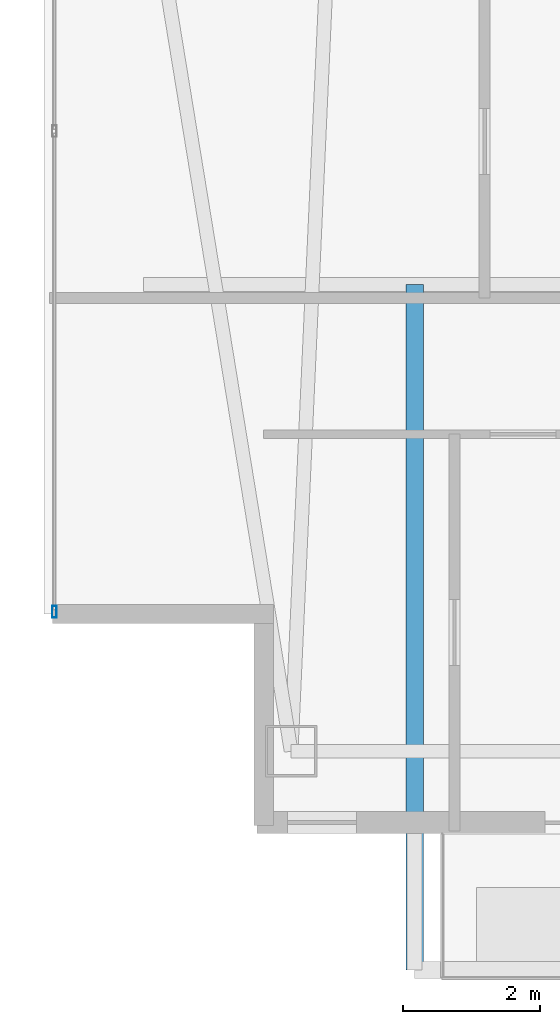
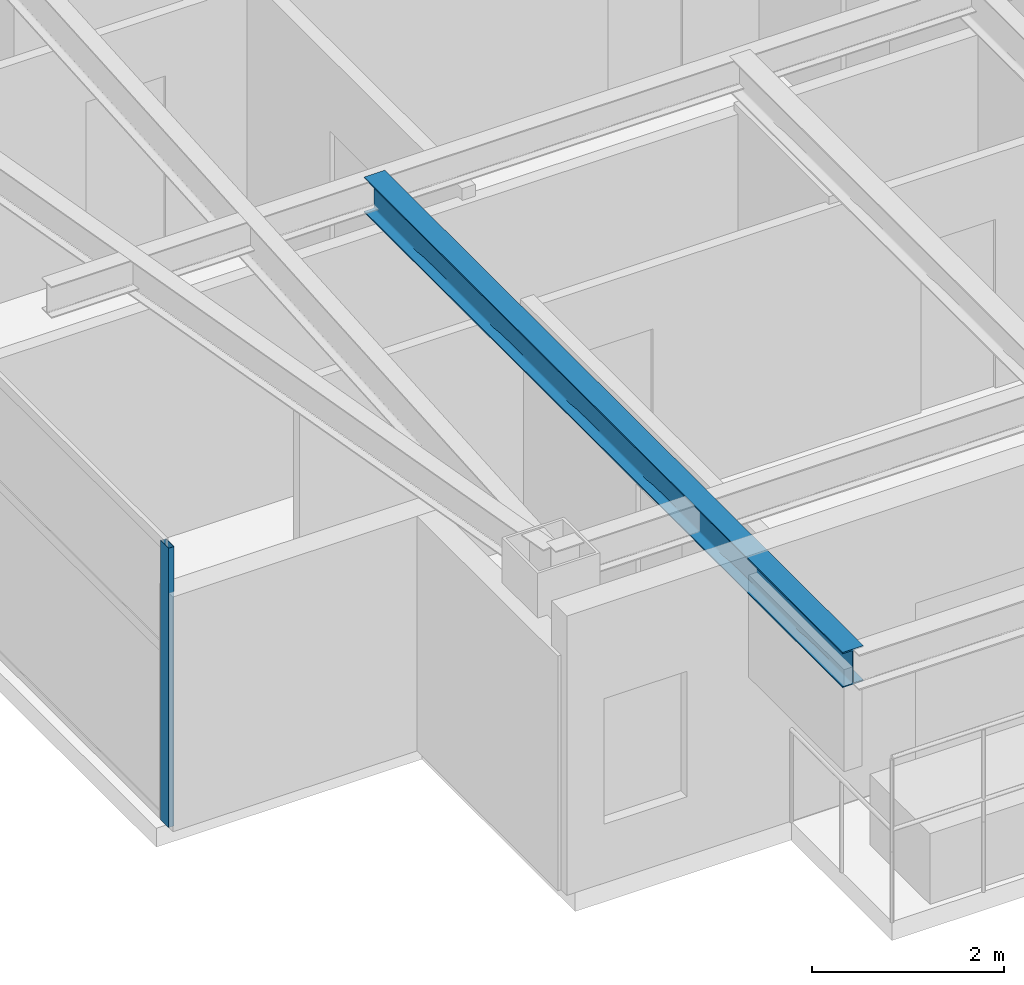
# One storey, part 2 of 29: 1 beam, 1 member, 1 element without a shape of its own.
"""IFC4 building model written with IfcOpenShell, lengths in metres."""

from ifc_helpers import new_model, si_unit, direction, frame, origin, origin_2d, place, context, subcontext, project, spatial, hollow_rectangle, i_section, extrude, material, layer, layer_set, material_profile, profile_set, type_object, element, aggregate, save


model = new_model("IFC4")

# Units and contexts
model_context = context("Model", 3, precision=1e-05, world=origin(), true_north=direction((0.0, 1.0)))
body_context = subcontext(model_context, "Body", "Model", "MODEL_VIEW")
ifc_project = project(units=[si_unit("LENGTHUNIT", "METRE"), si_unit("AREAUNIT", "SQUARE_METRE"), si_unit("VOLUMEUNIT", "CUBIC_METRE"), si_unit("PLANEANGLEUNIT", "RADIAN"), si_unit("MASSUNIT", "GRAM", prefix="KILO")], contexts=[model_context])

# Site, building, storey
site_placement = place(None, origin())
site = spatial("IfcSite", under=ifc_project, at=site_placement, CompositionType="ELEMENT")
building_placement = place(site_placement, origin())
building = spatial("IfcBuilding", under=site, at=building_placement, Name="Calvorn Quay Hotel", CompositionType="ELEMENT")
storey_placement = place(building_placement, frame((0.0, 0.0, 251.39990234375)))
storey = spatial("IfcBuildingStorey", under=building, at=storey_placement, Name="L62", CompositionType="ELEMENT", Elevation=251.39990234375)

# Beam
ifc_material_1 = material(Name="Steel Q355B", Category="steel")
ifc_material_profile_1 = material_profile(ifc_material_1, i_section(OverallWidth=0.25, OverallDepth=0.449951171875, WebThickness=0.011962890625, FlangeThickness=0.01611328125, FilletRadius=0.01611328125, at=origin_2d()), Name="HN450x250x12x16")
ifc_profile_set_1 = profile_set([ifc_material_profile_1], Name="Steel Q355B")
beam_type = type_object("IfcBeamType", Name="BM-CANT-BALC", PredefinedType="BEAM", material=ifc_profile_set_1)
beam_placement = place(storey_placement, frame((5.39990234375, 10.39990234375, 3.315185546875), z_axis=(0.0, -1.0, 0.0), x_axis=(1.0, 0.0, 0.0)))
element("IfcBeam", 1, at=beam_placement, inside=storey, type_object=beam_type, Name="Cantilever Balcony Beam BCB-L63-2A", PredefinedType="BEAM", context=body_context, shape_type="SweptSolid", body=[
    extrude(i_section(OverallWidth=0.25, OverallDepth=0.449951171875, WebThickness=0.011962890625, FlangeThickness=0.01611328125, FilletRadius=0.01611328125, at=origin_2d()), origin(), (0.0, 0.0, 1.0), 9.989990234375),
])

# Curtain wall, member
ifc_material_2 = material(Name="Champagne Bronze Anodised Aluminium and Low-E Glass", Category="aluminium")
ifc_layer = layer(ifc_material_2, 0.219970703125)
ifc_layer_set = layer_set([ifc_layer], Name="CW-SYS-Z4")
curtain_wall_type = type_object("IfcCurtainWallType", Name="CW-SYS-Z4", PredefinedType="NOTDEFINED", material=ifc_layer_set)
curtain_wall_placement = place(storey_placement, origin())
curtain_wall = element("IfcCurtainWall", 2, at=curtain_wall_placement, inside=storey, type_object=curtain_wall_type, Name="Tower West Curtain Wall (L62)", PredefinedType="NOTDEFINED")
ifc_material_3 = material(Name="Champagne Bronze Anodised Aluminium 6063-T6", Category="aluminium")
ifc_material_profile_2 = material_profile(ifc_material_3, hollow_rectangle(XDim=0.06494140625, YDim=0.169921875, WallThickness=0.00341796875, at=origin_2d()), Name="ALU-M170x65x3.5")
ifc_profile_set_2 = profile_set([ifc_material_profile_2], Name="Champagne Bronze Anodised Aluminium 6063-T6")
member_type = type_object("IfcMemberType", Name="CW-SYS-Z4-MUL", PredefinedType="MULLION", material=ifc_profile_set_2)
member_placement = place(storey_placement, frame((0.14990234375, 5.6298828125, 0.0), z_axis=(0.0, 0.0, 1.0), x_axis=(-1.0, 0.0, 0.0)))
member = element("IfcMember", 3, at=member_placement, type_object=member_type, Name="CW-L62-W mullion 1", PredefinedType="MULLION", context=body_context, shape_type="SweptSolid", body=[
    extrude(hollow_rectangle(XDim=0.06494140625, YDim=0.169921875, WallThickness=0.00341796875, at=origin_2d()), origin(), (0.0, 0.0, 1.0), 3.56005859375),
])
aggregate(curtain_wall, [member])

save(model, "model.ifc")
